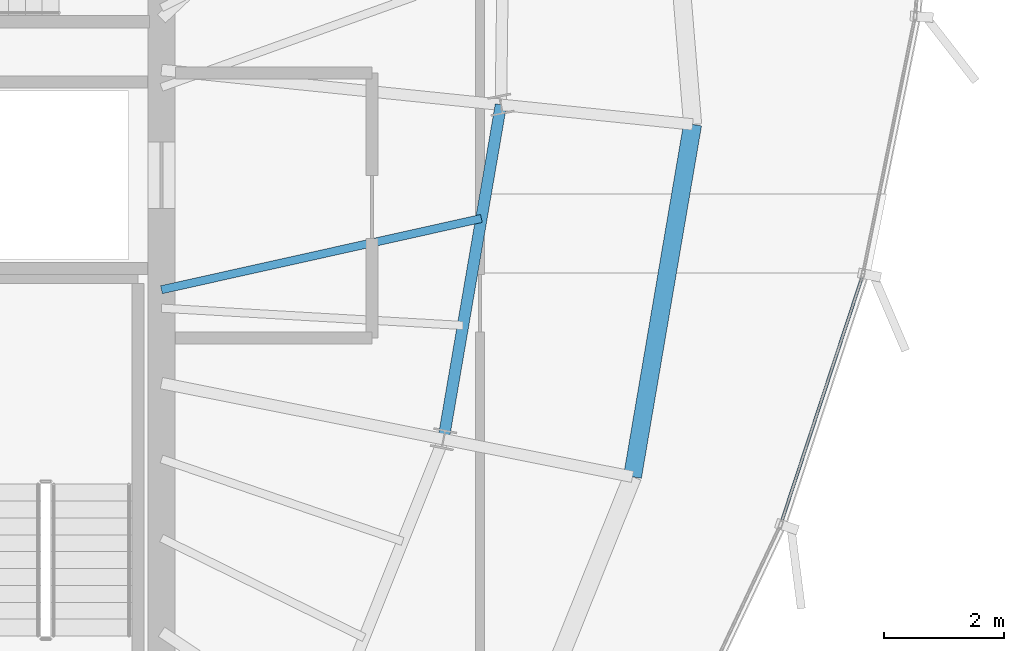
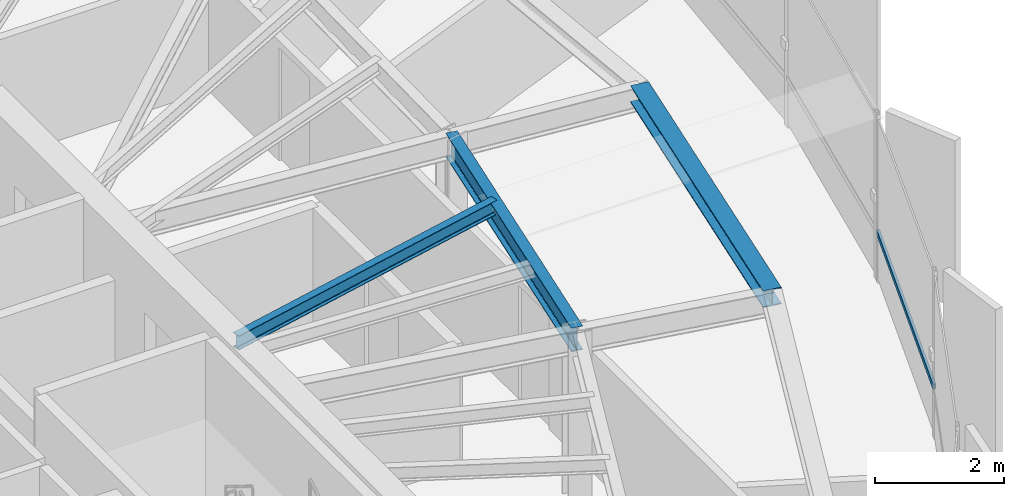
# One storey, part 15 of 35: 3 beams, 1 member, 1 element without a shape of its own.
"""IFC4 building model written with IfcOpenShell, lengths in metres."""

from ifc_helpers import new_model, si_unit, direction, frame, origin, origin_2d, place, context, subcontext, project, spatial, hollow_rectangle, i_section, extrude, source, transform, mapped, material, layer, layer_set, material_profile, profile_set, type_object, element, aggregate, save


model = new_model("IFC4")

# Units and contexts
model_context = context("Model", 3, precision=1e-05, world=origin(), true_north=direction((0.0, 1.0)))
body_context = subcontext(model_context, "Body", "Model", "MODEL_VIEW")
ifc_project = project(units=[si_unit("LENGTHUNIT", "METRE"), si_unit("AREAUNIT", "SQUARE_METRE"), si_unit("VOLUMEUNIT", "CUBIC_METRE"), si_unit("PLANEANGLEUNIT", "RADIAN"), si_unit("MASSUNIT", "GRAM", prefix="KILO"), si_unit("THERMODYNAMICTEMPERATUREUNIT", "KELVIN")], contexts=[model_context])

# Site, building, storey
site_placement = place(None, origin())
site = spatial("IfcSite", under=ifc_project, at=site_placement, CompositionType="ELEMENT")
building_placement = place(site_placement, origin())
building = spatial("IfcBuilding", under=site, at=building_placement, Name="Kethvar Cultural Tower", CompositionType="ELEMENT")
storey_placement = place(building_placement, frame((0.0, 0.0, 249.10009765625)))
storey = spatial("IfcBuildingStorey", under=building, at=storey_placement, Name="L65", CompositionType="ELEMENT", Elevation=249.10009765625)

# Beams
ifc_material_1 = material(Name="Steel S355J2", Category="steel")
ifc_material_profile_1 = material_profile(ifc_material_1, i_section(OverallWidth=0.18994140625, OverallDepth=0.449951171875, WebThickness=0.009521484375, FlangeThickness=0.0146484375, FilletRadius=0.02099609375, at=origin_2d()), Name="Steel S355J2 — IPE450")
ifc_profile_set_1 = profile_set([ifc_material_profile_1], Name="Steel S355J2 — IPE450")
beam_type_1 = type_object("IfcBeamType", Name="BM-IPE450", PredefinedType="BEAM", material=ifc_profile_set_1)
shared_shape_1 = source(origin(), body_context, "Body", "SweptSolid", [
    extrude(i_section(OverallWidth=0.18994140625, OverallDepth=0.449951171875, WebThickness=0.009521484375, FlangeThickness=0.0146484375, FilletRadius=0.02099609375, at=origin_2d()), origin(), (0.0, 0.0, 1.0), 5.635009765625),
])
beam_1_placement = place(storey_placement, frame((60.28369140625, 25.117919921875, 2.98291015625), z_axis=(0.169188687614, 0.985583678834, 0.0), x_axis=(-0.985583678834, 0.169188687614, 0.0)))
element("IfcBeam", 1, at=beam_1_placement, inside=storey, type_object=beam_type_1, Name="L65 Column Ring Tie Beam CR-16", PredefinedType="BEAM", context=body_context, shape_type="MappedRepresentation", body=[
    mapped(shared_shape_1, transform((0.0, 0.0, 0.0), scale=1.0)),
])
ifc_material_profile_2 = material_profile(ifc_material_1, i_section(OverallWidth=0.300048828125, OverallDepth=0.320068359375, WebThickness=0.011474609375, FlangeThickness=0.0205078125, FilletRadius=0.027099609375, at=origin_2d()), Name="Steel S355J2 — HEB320")
ifc_profile_set_2 = profile_set([ifc_material_profile_2], Name="Steel S355J2 — HEB320")
beam_type_2 = type_object("IfcBeamType", Name="BM-SP320", PredefinedType="SPANDREL", material=ifc_profile_set_2)
shared_shape_2 = source(origin(), body_context, "Body", "SweptSolid", [
    extrude(i_section(OverallWidth=0.300048828125, OverallDepth=0.320068359375, WebThickness=0.011474609375, FlangeThickness=0.0205078125, FilletRadius=0.027099609375, at=origin_2d()), origin(), (0.0, 0.0, 1.0), 5.93603515625),
])
beam_2_placement = place(storey_placement, frame((63.422119140625, 24.49365234375, 3.0478515625), z_axis=(0.16817267321, 0.985757552335, 0.0), x_axis=(-0.985757552335, 0.16817267321, 0.0)))
element("IfcBeam", 2, at=beam_2_placement, inside=storey, type_object=beam_type_2, Name="L65 Perimeter Spandrel Beam SP-16", PredefinedType="SPANDREL", context=body_context, shape_type="MappedRepresentation", body=[
    mapped(shared_shape_2, transform((0.0, 0.0, 0.0), scale=1.0)),
])
ifc_material_profile_3 = material_profile(ifc_material_1, i_section(OverallWidth=0.135009765625, OverallDepth=0.27001953125, WebThickness=0.006591796875, FlangeThickness=0.01025390625, FilletRadius=0.014892578125, at=origin_2d()), Name="Steel S355J2 — IPE270")
ifc_profile_set_3 = profile_set([ifc_material_profile_3], Name="Steel S355J2 — IPE270")
beam_type_3 = type_object("IfcBeamType", Name="BM-J270", PredefinedType="JOIST", material=ifc_profile_set_3)
shared_shape_3 = source(origin(), body_context, "Body", "SweptSolid", [
    extrude(i_section(OverallWidth=0.135009765625, OverallDepth=0.27001953125, WebThickness=0.006591796875, FlangeThickness=0.01025390625, FilletRadius=0.014892578125, at=origin_2d()), origin(), (0.0, 0.0, 1.0), 5.44287109375),
])
beam_3_placement = place(storey_placement, frame((55.60009765625, 27.60009765625, 3.072998046875), z_axis=(0.976080346759, 0.217410111702, 0.0), x_axis=(-0.217410111702, 0.976080346759, 0.0)))
element("IfcBeam", 3, at=beam_3_placement, inside=storey, type_object=beam_type_3, Name="L65 Composite Floor Joist J-16B", PredefinedType="JOIST", context=body_context, shape_type="MappedRepresentation", body=[
    mapped(shared_shape_3, transform((0.0, 0.0, 0.0), scale=1.0)),
])

# Curtain wall, member
ifc_material_2 = material(Name="Aluminium 6063-T6", Category="aluminium")
ifc_layer = layer(ifc_material_2, 0.179931640625, Name="Aluminium 6063-T6", Category="aluminium")
ifc_layer_set = layer_set([ifc_layer], Name="Aluminium 6063-T6 (180 mm)")
curtain_wall_type = type_object("IfcCurtainWallType", Name="CW-SYS-05-Z56", PredefinedType="NOTDEFINED", material=ifc_layer_set)
curtain_wall_placement = place(storey_placement, origin())
curtain_wall = element("IfcCurtainWall", 4, at=curtain_wall_placement, inside=storey, type_object=curtain_wall_type, Name="L65 Curtain Wall Run 05", PredefinedType="NOTDEFINED")
ifc_material_profile_4 = material_profile(ifc_material_2, hollow_rectangle(XDim=0.050048828125, YDim=0.10009765625, WallThickness=0.00390625, at=origin_2d()), Name="Aluminium 6063-T6 — RHS100x50x4")
ifc_profile_set_4 = profile_set([ifc_material_profile_4], Name="Aluminium 6063-T6 — RHS100x50x4")
member_type = type_object("IfcMemberType", Name="CW-SYS-05-Z56-TRN", PredefinedType="USERDEFINED", material=ifc_profile_set_4)
shared_shape_4 = source(origin(), body_context, "Body", "SweptSolid", [
    extrude(hollow_rectangle(XDim=0.050048828125, YDim=0.10009765625, WallThickness=0.00390625, at=origin_2d()), origin(), (0.0, 0.0, 1.0), 4.281005859375),
])
member_placement = place(storey_placement, frame((65.89501953125, 23.738037109375, 0.949951171875), z_axis=(0.312581218365, 0.94989103687, 0.0), x_axis=(-0.94989103687, 0.312581218365, 0.0)))
member = element("IfcMember", 5, at=member_placement, type_object=member_type, Name="CW-L65-R05 Transom 6", ObjectType="TRANSOM", PredefinedType="USERDEFINED", context=body_context, shape_type="MappedRepresentation", body=[
    mapped(shared_shape_4, transform((0.0, 0.0, 0.0), scale=1.0)),
])
aggregate(curtain_wall, [member])

save(model, "model.ifc")
